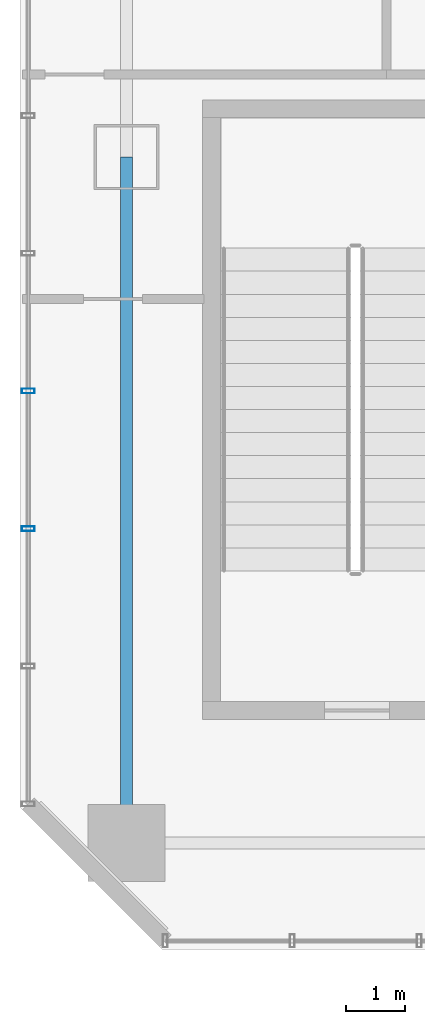
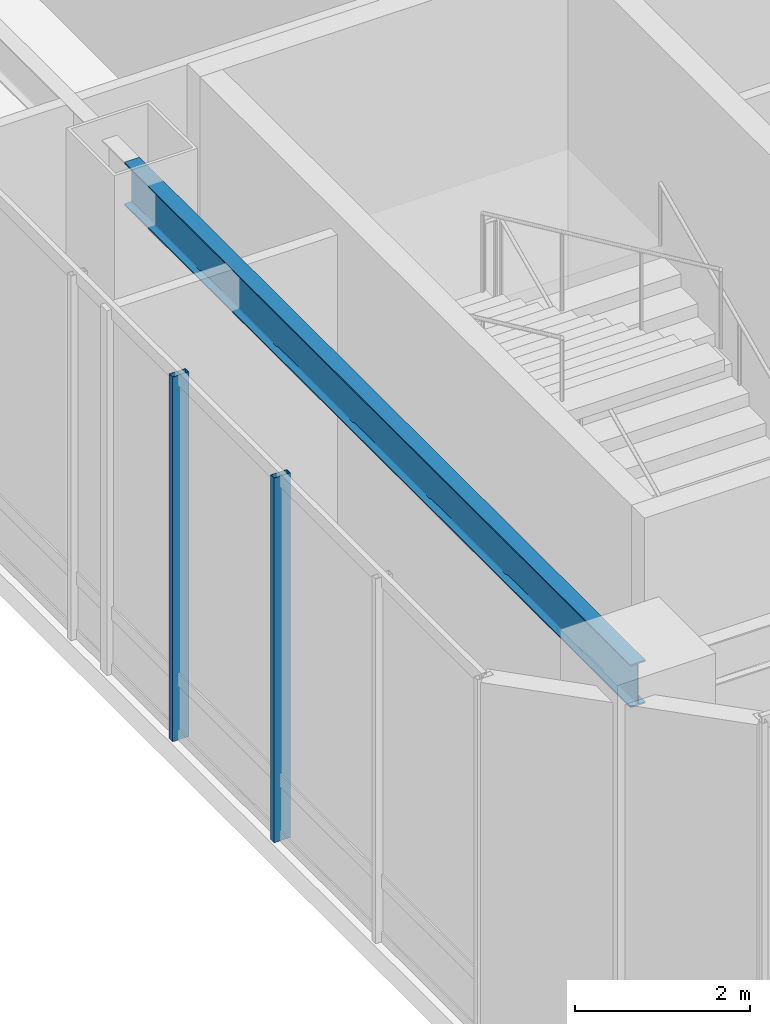
# One storey, part 3 of 35: 2 members, 1 beam, 1 element without a shape of its own.
"""IFC4 building model written with IfcOpenShell, lengths in metres."""

from ifc_helpers import new_model, si_unit, direction, frame, origin, origin_2d, place, context, subcontext, project, spatial, hollow_rectangle, i_section, extrude, material, layer, layer_set, material_profile, profile_set, type_object, element, aggregate, save


model = new_model("IFC4")

# Units and contexts
model_context = context("Model", 3, precision=1e-05, world=origin(), true_north=direction((0.0, 1.0)))
body_context = subcontext(model_context, "Body", "Model", "MODEL_VIEW")
ifc_project = project(units=[si_unit("LENGTHUNIT", "METRE"), si_unit("AREAUNIT", "SQUARE_METRE"), si_unit("VOLUMEUNIT", "CUBIC_METRE"), si_unit("PLANEANGLEUNIT", "RADIAN"), si_unit("MASSUNIT", "GRAM", prefix="KILO")], contexts=[model_context])

# Site, building, storey
site_placement = place(None, origin())
site = spatial("IfcSite", under=ifc_project, at=site_placement, CompositionType="ELEMENT")
building_placement = place(site_placement, origin())
building = spatial("IfcBuilding", under=site, at=building_placement, Name="Hatsunagi Terrace Concourse", CompositionType="ELEMENT")
storey_placement = place(building_placement, frame((0.0, 0.0, 10.800048828125)))
storey = spatial("IfcBuildingStorey", under=building, at=storey_placement, Name="L03", CompositionType="ELEMENT", Elevation=10.800048828125)

# Curtain wall, members
ifc_material_1 = material(Name="Anodised Aluminium Alloy 6063-T5", Category="aluminium")
ifc_layer = layer(ifc_material_1, 0.199951171875)
ifc_layer_set = layer_set([ifc_layer], Name="PodiumStorefront_CW01")
curtain_wall_type = type_object("IfcCurtainWallType", Name="PodiumStorefront_CW01", PredefinedType="NOTDEFINED", material=ifc_layer_set)
curtain_wall_placement = place(storey_placement, origin())
curtain_wall = element("IfcCurtainWall", 1, at=curtain_wall_placement, inside=storey, type_object=curtain_wall_type, Name="Unitised Curtain Wall CW-01 CW-L03-10", PredefinedType="NOTDEFINED")
ifc_material_2 = material(Name="Anodised Aluminium Alloy 6063-T5", Category="aluminium")
ifc_material_profile_1 = material_profile(ifc_material_2, hollow_rectangle(XDim=0.080078125, YDim=0.219970703125, WallThickness=0.0048828125, at=origin_2d()), Name="ALU-MUL-220x80x5")
ifc_profile_set_1 = profile_set([ifc_material_profile_1], Name="Anodised Aluminium Alloy 6063-T5")
member_type = type_object("IfcMemberType", Name="CurtainWallMullion_Heavy_220x80", PredefinedType="MULLION", material=ifc_profile_set_1)
member_1_placement = place(storey_placement, frame((0.139892578125, 30.514892578125, 0.0), z_axis=(0.0, 0.0, 1.0), x_axis=(0.0, 1.0, 0.0)))
member_1 = element("IfcMember", 2, at=member_1_placement, type_object=member_type, Name="Curtain Wall Mullion MUL-01", PredefinedType="MULLION", context=body_context, shape_type="SweptSolid", body=[
    extrude(hollow_rectangle(XDim=0.080078125, YDim=0.219970703125, WallThickness=0.0048828125, at=origin_2d()), origin(), (0.0, 0.0, 1.0), 5.099853515625),
])
member_2_placement = place(storey_placement, frame((0.139892578125, 32.843017578125, 0.0), z_axis=(0.0, 0.0, 1.0), x_axis=(0.0, 1.0, 0.0)))
member_2 = element("IfcMember", 3, at=member_2_placement, type_object=member_type, Name="Curtain Wall Mullion MUL-01", PredefinedType="MULLION", context=body_context, shape_type="SweptSolid", body=[
    extrude(hollow_rectangle(XDim=0.080078125, YDim=0.219970703125, WallThickness=0.0048828125, at=origin_2d()), origin(), (0.0, 0.0, 1.0), 5.099853515625),
])
aggregate(curtain_wall, [member_1, member_2])

# Beam
ifc_material_3 = material(Name="Steel SN490B", Category="steel")
ifc_material_profile_2 = material_profile(ifc_material_3, i_section(OverallWidth=0.199951171875, OverallDepth=0.60009765625, WebThickness=0.010986328125, FlangeThickness=0.01708984375, FilletRadius=0.01806640625, at=origin_2d()), Name="H-600x200x11x17")
ifc_profile_set_2 = profile_set([ifc_material_profile_2], Name="Steel SN490B")
beam_type = type_object("IfcBeamType", Name="PerimeterSpandrel_H_600x200", PredefinedType="SPANDREL", material=ifc_profile_set_2)
beam_placement = place(storey_placement, frame((1.800048828125, 25.199951171875, 4.800048828125), z_axis=(0.0, 1.0, 0.0), x_axis=(-1.0, 0.0, 0.0)))
element("IfcBeam", 4, at=beam_placement, inside=storey, type_object=beam_type, Name="Beam SP-01 BM-L03-NS-1-25", PredefinedType="SPANDREL", context=body_context, shape_type="SweptSolid", body=[
    extrude(i_section(OverallWidth=0.199951171875, OverallDepth=0.60009765625, WebThickness=0.010986328125, FlangeThickness=0.01708984375, FilletRadius=0.01806640625, at=origin_2d()), origin(), (0.0, 0.0, 1.0), 11.60009765625),
])

save(model, "model.ifc")
